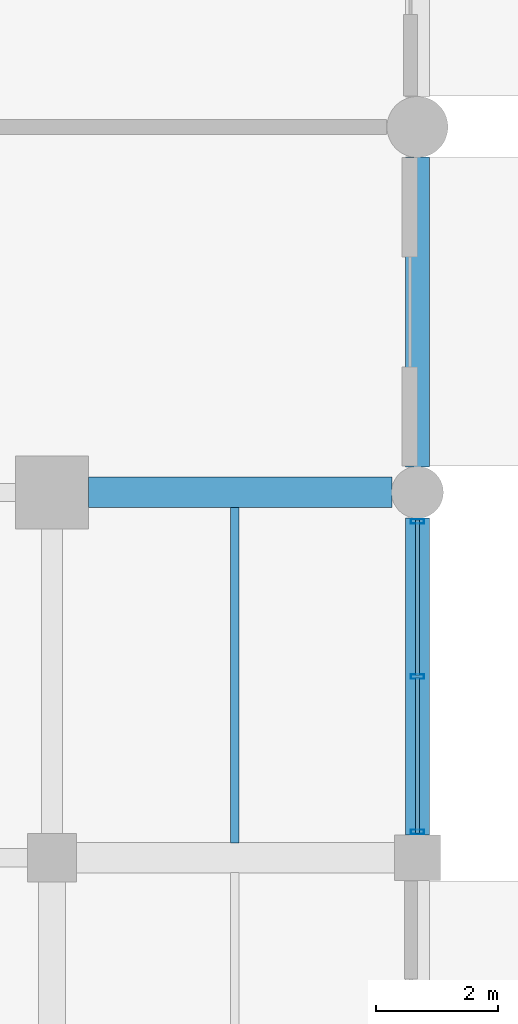
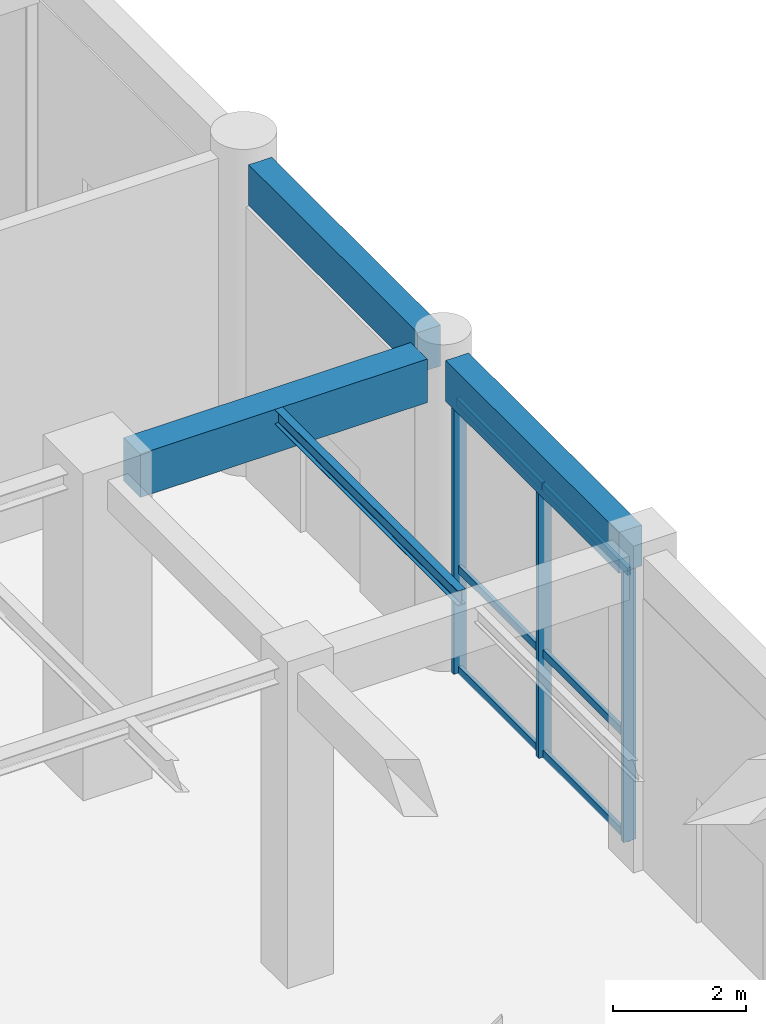
# One storey, part 57 of 106: 9 members, 4 beams, 1 element without a shape of its own.
"""IFC4 building model written with IfcOpenShell, lengths in metres."""

from ifc_helpers import new_model, si_unit, direction, frame, origin, origin_2d, place, context, subcontext, project, spatial, rectangle, hollow_rectangle, i_section, extrude, material, material_profile, profile_set, type_object, element, aggregate, save


model = new_model("IFC4")

# Units and contexts
model_context = context("Model", 3, precision=1e-05, world=origin(), true_north=direction((0.0, 1.0)))
body_context = subcontext(model_context, "Body", "Model", "MODEL_VIEW")
ifc_project = project(units=[si_unit("LENGTHUNIT", "METRE"), si_unit("AREAUNIT", "SQUARE_METRE"), si_unit("VOLUMEUNIT", "CUBIC_METRE"), si_unit("PLANEANGLEUNIT", "RADIAN"), si_unit("MASSUNIT", "GRAM", prefix="KILO"), si_unit("THERMODYNAMICTEMPERATUREUNIT", "KELVIN"), si_unit("POWERUNIT", "WATT")], contexts=[model_context])

# Site, building, storey
site_placement = place(None, origin())
site = spatial("IfcSite", under=ifc_project, at=site_placement, CompositionType="ELEMENT")
building_placement = place(site_placement, origin())
building = spatial("IfcBuilding", under=site, at=building_placement, Name="Phaisarnlok Congress Hotel", CompositionType="ELEMENT")
storey_placement = place(building_placement, origin())
storey = spatial("IfcBuildingStorey", under=building, at=storey_placement, Name="L00", CompositionType="ELEMENT", Elevation=0.0)

# Beam
ifc_material_1 = material(Name="Concrete C40/50", Category="concrete")
ifc_material_profile_1 = material_profile(ifc_material_1, rectangle(XDim=0.5, YDim=0.800048828125, at=origin_2d()), Name="RC 500x800")
ifc_profile_set_1 = profile_set([ifc_material_profile_1], Name="Concrete C40/50")
beam_type_1 = type_object("IfcBeamType", Name="BM-RC-500x800", PredefinedType="BEAM", material=ifc_profile_set_1)
beam_1_placement = place(storey_placement, frame((174.594970703125, 42.0, 5.340087890625), z_axis=(1.0, 0.0, 0.0), x_axis=(0.0, 1.0, 0.0)))
element("IfcBeam", 1, at=beam_1_placement, inside=storey, type_object=beam_type_1, Name="Beam B-04", PredefinedType="BEAM", context=body_context, shape_type="SweptSolid", body=[
    extrude(rectangle(XDim=0.5, YDim=0.800048828125, at=origin_2d()), origin(), (0.0, 0.0, 1.0), 4.985107421875),
])

# Curtain wall, members
ifc_material_2 = material(Name="Thermally Broken Unitised Aluminium & Low-E Glazing", Category="aluminium")
curtain_wall_type = type_object("IfcCurtainWallType", Name="CW-UNIT-03", PredefinedType="NOTDEFINED", material=ifc_material_2)
curtain_wall_placement = place(storey_placement, origin())
curtain_wall = element("IfcCurtainWall", 2, at=curtain_wall_placement, inside=storey, type_object=curtain_wall_type, Name="Unitised curtain wall CW-03 (L00)", PredefinedType="NOTDEFINED")
ifc_material_3 = material(Name="Anodised Aluminium Alloy 6063-T6", Category="aluminium")
ifc_material_profile_2 = material_profile(ifc_material_3, hollow_rectangle(XDim=0.074951171875, YDim=0.219970703125, WallThickness=0.0048828125, at=origin_2d()), Name="ALU-M 75x220x5")
ifc_profile_set_2 = profile_set([ifc_material_profile_2], Name="Anodised Aluminium Alloy 6063-T6")
member_type_1 = type_object("IfcMemberType", Name="CWM-220", PredefinedType="MULLION", material=ifc_profile_set_2)
member_1_placement = place(storey_placement, frame((180.0, 36.425048828125, 0.0), z_axis=(0.0, 0.0, 1.0), x_axis=(0.0, 1.0, 0.0)))
member_1 = element("IfcMember", 3, at=member_1_placement, type_object=member_type_1, Name="Curtain wall mullion CWM-02", PredefinedType="MULLION", context=body_context, shape_type="SweptSolid", body=[
    extrude(hollow_rectangle(XDim=0.074951171875, YDim=0.219970703125, WallThickness=0.0048828125, at=origin_2d()), origin(), (0.0, 0.0, 1.0), 4.989990234375),
])
member_2_placement = place(storey_placement, frame((180.0, 38.97509765625, 0.0), z_axis=(0.0, 0.0, 1.0), x_axis=(0.0, 1.0, 0.0)))
member_2 = element("IfcMember", 4, at=member_2_placement, type_object=member_type_1, Name="Curtain wall mullion CWM-02", PredefinedType="MULLION", context=body_context, shape_type="SweptSolid", body=[
    extrude(hollow_rectangle(XDim=0.074951171875, YDim=0.219970703125, WallThickness=0.0048828125, at=origin_2d()), origin(), (0.0, 0.0, 1.0), 4.989990234375),
])
member_3_placement = place(storey_placement, frame((180.0, 41.52490234375, 0.0), z_axis=(0.0, 0.0, 1.0), x_axis=(0.0, 1.0, 0.0)))
member_3 = element("IfcMember", 5, at=member_3_placement, type_object=member_type_1, Name="Curtain wall mullion CWM-02", PredefinedType="MULLION", context=body_context, shape_type="SweptSolid", body=[
    extrude(hollow_rectangle(XDim=0.074951171875, YDim=0.219970703125, WallThickness=0.0048828125, at=origin_2d()), origin(), (0.0, 0.0, 1.0), 4.989990234375),
])
ifc_material_profile_3 = material_profile(ifc_material_3, hollow_rectangle(XDim=0.06494140625, YDim=0.139892578125, WallThickness=0.00390625, at=origin_2d()), Name="ALU-T 65x140x4")
ifc_profile_set_3 = profile_set([ifc_material_profile_3], Name="Anodised Aluminium Alloy 6063-T6")
member_type_2 = type_object("IfcMemberType", Name="CWT-150", PredefinedType="USERDEFINED", material=ifc_profile_set_3)
member_4_placement = place(storey_placement, frame((180.0, 36.39990234375, 0.050048828125), z_axis=(0.0, 1.0, 0.0), x_axis=(-1.0, 0.0, 0.0)))
member_4 = element("IfcMember", 6, at=member_4_placement, type_object=member_type_2, Name="Curtain wall transom CWT-01", ObjectType="TRANSOM", PredefinedType="USERDEFINED", context=body_context, shape_type="SweptSolid", body=[
    extrude(hollow_rectangle(XDim=0.06494140625, YDim=0.139892578125, WallThickness=0.00390625, at=origin_2d()), origin(), (0.0, 0.0, 1.0), 2.56005859375),
])
member_5_placement = place(storey_placement, frame((180.0, 36.39990234375, 1.896240234375), z_axis=(0.0, 1.0, 0.0), x_axis=(-1.0, 0.0, 0.0)))
member_5 = element("IfcMember", 7, at=member_5_placement, type_object=member_type_2, Name="Curtain wall transom CWT-01", ObjectType="TRANSOM", PredefinedType="USERDEFINED", context=body_context, shape_type="SweptSolid", body=[
    extrude(hollow_rectangle(XDim=0.06494140625, YDim=0.139892578125, WallThickness=0.00390625, at=origin_2d()), origin(), (0.0, 0.0, 1.0), 2.56005859375),
])
member_6_placement = place(storey_placement, frame((180.0, 36.39990234375, 4.93994140625), z_axis=(0.0, 1.0, 0.0), x_axis=(-1.0, 0.0, 0.0)))
member_6 = element("IfcMember", 8, at=member_6_placement, type_object=member_type_2, Name="Curtain wall transom CWT-01", ObjectType="TRANSOM", PredefinedType="USERDEFINED", context=body_context, shape_type="SweptSolid", body=[
    extrude(hollow_rectangle(XDim=0.06494140625, YDim=0.139892578125, WallThickness=0.00390625, at=origin_2d()), origin(), (0.0, 0.0, 1.0), 2.56005859375),
])
member_7_placement = place(storey_placement, frame((180.0, 38.989990234375, 0.050048828125), z_axis=(0.0, 1.0, 0.0), x_axis=(-1.0, 0.0, 0.0)))
member_7 = element("IfcMember", 9, at=member_7_placement, type_object=member_type_2, Name="Curtain wall transom CWT-01", ObjectType="TRANSOM", PredefinedType="USERDEFINED", context=body_context, shape_type="SweptSolid", body=[
    extrude(hollow_rectangle(XDim=0.06494140625, YDim=0.139892578125, WallThickness=0.00390625, at=origin_2d()), origin(), (0.0, 0.0, 1.0), 2.56005859375),
])
member_8_placement = place(storey_placement, frame((180.0, 38.989990234375, 1.896240234375), z_axis=(0.0, 1.0, 0.0), x_axis=(-1.0, 0.0, 0.0)))
member_8 = element("IfcMember", 10, at=member_8_placement, type_object=member_type_2, Name="Curtain wall transom CWT-01", ObjectType="TRANSOM", PredefinedType="USERDEFINED", context=body_context, shape_type="SweptSolid", body=[
    extrude(hollow_rectangle(XDim=0.06494140625, YDim=0.139892578125, WallThickness=0.00390625, at=origin_2d()), origin(), (0.0, 0.0, 1.0), 2.56005859375),
])
member_9_placement = place(storey_placement, frame((180.0, 38.989990234375, 4.93994140625), z_axis=(0.0, 1.0, 0.0), x_axis=(-1.0, 0.0, 0.0)))
member_9 = element("IfcMember", 11, at=member_9_placement, type_object=member_type_2, Name="Curtain wall transom CWT-01", ObjectType="TRANSOM", PredefinedType="USERDEFINED", context=body_context, shape_type="SweptSolid", body=[
    extrude(hollow_rectangle(XDim=0.06494140625, YDim=0.139892578125, WallThickness=0.00390625, at=origin_2d()), origin(), (0.0, 0.0, 1.0), 2.56005859375),
])
aggregate(curtain_wall, [member_1, member_2, member_3, member_4, member_5, member_6, member_7, member_8, member_9])

# Beams
ifc_material_4 = material(Name="Steel S355", Category="steel")
ifc_material_profile_4 = material_profile(ifc_material_4, i_section(OverallWidth=0.135009765625, OverallDepth=0.27001953125, WebThickness=0.006591796875, FlangeThickness=0.01025390625, FilletRadius=0.014892578125, at=origin_2d()), Name="IPE 270")
ifc_profile_set_4 = profile_set([ifc_material_profile_4], Name="Steel S355")
beam_type_2 = type_object("IfcBeamType", Name="JS-STL-IPE270", PredefinedType="JOIST", material=ifc_profile_set_4)
beam_2_placement = place(storey_placement, frame((177.0, 36.2451171875, 5.60498046875), z_axis=(0.0, 1.0, 0.0), x_axis=(-1.0, 0.0, 0.0)))
element("IfcBeam", 12, at=beam_2_placement, inside=storey, type_object=beam_type_2, Name="Secondary floor joist J-02", PredefinedType="JOIST", context=body_context, shape_type="SweptSolid", body=[
    extrude(i_section(OverallWidth=0.135009765625, OverallDepth=0.27001953125, WebThickness=0.006591796875, FlangeThickness=0.01025390625, FilletRadius=0.014892578125, at=origin_2d()), origin(), (0.0, 0.0, 1.0), 5.509765625),
])
ifc_material_profile_5 = material_profile(ifc_material_1, rectangle(XDim=0.39990234375, YDim=0.75, at=origin_2d()), Name="RC 400x750")
ifc_profile_set_5 = profile_set([ifc_material_profile_5], Name="Concrete C40/50")
beam_type_3 = type_object("IfcBeamType", Name="SP-RC-400x750", PredefinedType="SPANDREL", material=ifc_profile_set_5)
beam_3_placement = place(storey_placement, frame((180.0, 36.3701171875, 5.364990234375), z_axis=(0.0, 1.0, 0.0), x_axis=(-1.0, 0.0, 0.0)))
element("IfcBeam", 13, at=beam_3_placement, inside=storey, type_object=beam_type_3, Name="Beam SP-02", PredefinedType="SPANDREL", context=body_context, shape_type="SweptSolid", body=[
    extrude(rectangle(XDim=0.39990234375, YDim=0.75, at=origin_2d()), origin(), (0.0, 0.0, 1.0), 5.2099609375),
])
beam_4_placement = place(storey_placement, frame((180.0, 42.419921875, 5.364990234375), z_axis=(0.0, 1.0, 0.0), x_axis=(-1.0, 0.0, 0.0)))
element("IfcBeam", 14, at=beam_4_placement, inside=storey, type_object=beam_type_3, Name="Beam SP-02", PredefinedType="SPANDREL", context=body_context, shape_type="SweptSolid", body=[
    extrude(rectangle(XDim=0.39990234375, YDim=0.75, at=origin_2d()), origin(), (0.0, 0.0, 1.0), 5.0849609375),
])

save(model, "model.ifc")
